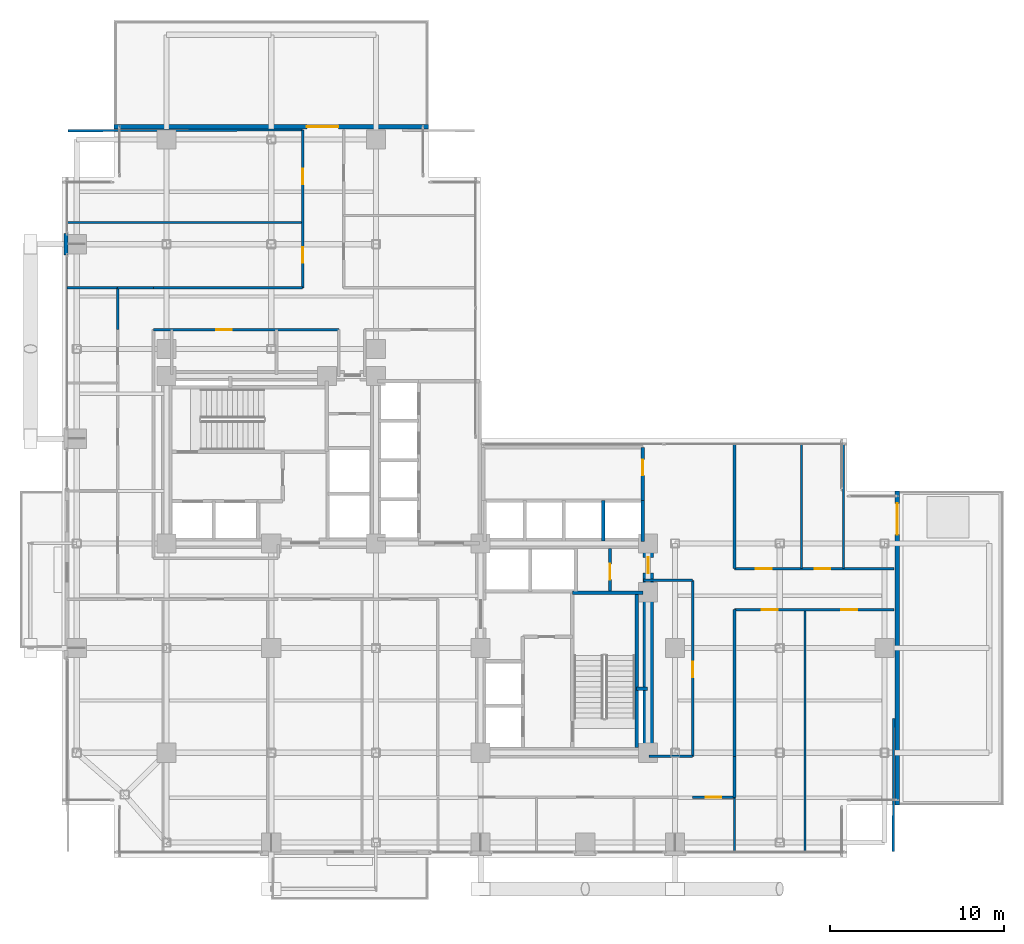
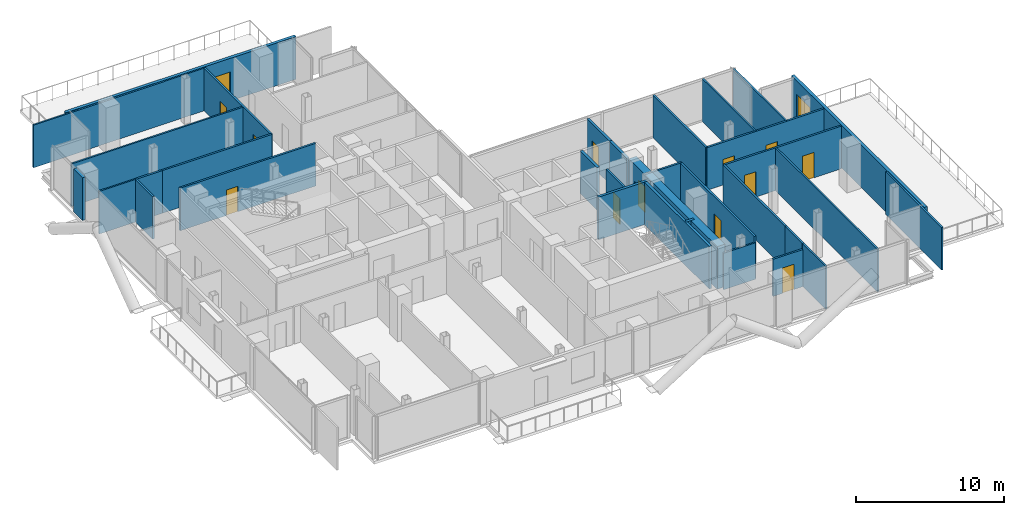
# One storey, part 22 of 26: 33 walls, 14 doors, 14 openings.
"""IFC4 building model written with IfcOpenShell, lengths in metres."""

from ifc_helpers import new_model, si_unit, direction, frame, frame_2d, origin, place, context, subcontext, project, spatial, rectangle, extrude, material, layer, layer_set, type_object, element, fill, save


model = new_model("IFC4")

# Units and contexts
model_context = context("Model", 3, precision=1e-05, world=origin(), true_north=direction((0.0, 1.0)))
body_context = subcontext(model_context, "Body", "Model", "MODEL_VIEW")
ifc_project = project(units=[si_unit("LENGTHUNIT", "METRE"), si_unit("AREAUNIT", "SQUARE_METRE"), si_unit("VOLUMEUNIT", "CUBIC_METRE"), si_unit("PLANEANGLEUNIT", "RADIAN"), si_unit("MASSUNIT", "GRAM", prefix="KILO"), si_unit("THERMODYNAMICTEMPERATUREUNIT", "KELVIN"), si_unit("POWERUNIT", "WATT")], contexts=[model_context])

# Site, building, storey
site_placement = place(None, origin())
site = spatial("IfcSite", under=ifc_project, at=site_placement, CompositionType="ELEMENT")
building_placement = place(site_placement, origin())
building = spatial("IfcBuilding", under=site, at=building_placement, Name="Svarakhadi Broadcast Tower", CompositionType="ELEMENT")
storey_placement = place(building_placement, frame((0.0, 0.0, 99.60009765625)))
storey = spatial("IfcBuildingStorey", under=building, at=storey_placement, Name="L23", CompositionType="ELEMENT", Elevation=99.60009765625)

# Wall, opening, door
ifc_material_1 = material(Name="Concrete C40/50 (IS 456 M50)", Category="concrete")
ifc_layer_1 = layer(ifc_material_1, 0.239990234375)
ifc_layer_set_1 = layer_set([ifc_layer_1], Name="Concrete C40/50 (IS 456 M50)")
wall_type_1 = type_object("IfcWallType", Name="Wall_Ext_240", PredefinedType="SOLIDWALL", material=ifc_layer_set_1)
wall_1_placement = place(storey_placement, frame((47.8798828125, 21.0, 0.0), z_axis=(0.0, 0.0, 1.0), x_axis=(0.0, -1.0, 0.0)))
wall_1 = element("IfcWall", 1, at=wall_1_placement, inside=storey, type_object=wall_type_1, Name="L23 East Setback Terrace Access Wall", PredefinedType="SOLIDWALL", context=body_context, shape_type="SweptSolid", body=[
    extrude(rectangle(XDim=18.0, YDim=0.239990234375, at=frame_2d((9.0, 0.0))), origin(), (0.0, 0.0, 1.0), 3.52490234375),
])
opening_1_placement = place(wall_1_placement, frame((0.699951171875, 0.0, 0.0)))
opening_1 = element("IfcOpeningElement", 2, at=opening_1_placement, cuts=wall_1, Name="Opening ED-02", PredefinedType="OPENING", context=body_context, shape_type="SweptSolid", body=[
    extrude(rectangle(XDim=1.800048828125, YDim=2.39990234375, at=frame_2d((0.89990234375, 1.199951171875))), frame((0.0, 0.1298828125, 0.0), z_axis=(0.0, -1.0, 0.0), x_axis=(1.0, 0.0, 0.0)), (0.0, 0.0, 1.0), 0.260009765625),
])
ifc_material_2 = material(Name="Anodised Bronze Aluminium AA 6063-T6", Category="aluminium")
door_type_1 = type_object("IfcDoorType", Name="Door_Ext_ED02", OperationType="DOUBLE_DOOR_SINGLE_SWING", PredefinedType="DOOR", material=ifc_material_2)
door_1_placement = place(opening_1_placement, origin())
door_1 = element("IfcDoor", 3, at=door_1_placement, inside=storey, type_object=door_type_1, Name="L23 East Setback Terrace Door", OperationType="DOUBLE_DOOR_SINGLE_SWING", OverallHeight=2.39990234375, OverallWidth=1.800048828125, PredefinedType="DOOR", context=body_context, shape_type="SweptSolid", body=[
    extrude(rectangle(XDim=1.800048828125, YDim=2.39990234375, at=frame_2d((0.89990234375, 1.199951171875))), frame((0.0, 0.02490234375, 0.0), z_axis=(0.0, -1.0, 0.0), x_axis=(1.0, 0.0, 0.0)), (0.0, 0.0, 1.0), 0.050048828125),
])
fill(opening_1, door_1)

wall_2_placement = place(storey_placement, frame((3.0, 41.8798828125, 0.0), z_axis=(0.0, 0.0, 1.0), x_axis=(1.0, 0.0, 0.0)))
wall_2 = element("IfcWall", 4, at=wall_2_placement, inside=storey, type_object=wall_type_1, Name="L23 North Setback Terrace Access Wall", PredefinedType="SOLIDWALL", context=body_context, shape_type="SweptSolid", body=[
    extrude(rectangle(XDim=18.0, YDim=0.239990234375, at=frame_2d((9.0, 0.0))), origin(), (0.0, 0.0, 1.0), 3.52490234375),
])
opening_2_placement = place(wall_2_placement, frame((11.050048828125, 0.0, 0.0)))
opening_2 = element("IfcOpeningElement", 5, at=opening_2_placement, cuts=wall_2, Name="Opening ED-02", PredefinedType="OPENING", context=body_context, shape_type="SweptSolid", body=[
    extrude(rectangle(XDim=1.800048828125, YDim=2.39990234375, at=frame_2d((0.89990234375, 1.199951171875))), frame((0.0, 0.1298828125, 0.0), z_axis=(0.0, -1.0, 0.0), x_axis=(1.0, 0.0, 0.0)), (0.0, 0.0, 1.0), 0.260009765625),
])
door_2_placement = place(opening_2_placement, origin())
door_2 = element("IfcDoor", 6, at=door_2_placement, inside=storey, type_object=door_type_1, Name="L23 North Setback Terrace Door", OperationType="DOUBLE_DOOR_SINGLE_SWING", OverallHeight=2.39990234375, OverallWidth=1.800048828125, PredefinedType="DOOR", context=body_context, shape_type="SweptSolid", body=[
    extrude(rectangle(XDim=1.800048828125, YDim=2.39990234375, at=frame_2d((0.89990234375, 1.199951171875))), frame((0.0, 0.02490234375, 0.0), z_axis=(0.0, -1.0, 0.0), x_axis=(1.0, 0.0, 0.0)), (0.0, 0.0, 1.0), 0.050048828125),
])
fill(opening_2, door_2)

# Walls
wall_3_placement = place(storey_placement, frame((0.239990234375, 34.534912109375, 0.0), z_axis=(0.0, 0.0, 1.0), x_axis=(0.0, 1.0, 0.0)))
element("IfcWall", 7, at=wall_3_placement, inside=storey, type_object=wall_type_1, Name="L23 Perimeter Bronze Spandrel Closure Wall 03", PredefinedType="SOLIDWALL", context=body_context, shape_type="SweptSolid", body=[
    extrude(rectangle(XDim=1.22998046875, YDim=0.239990234375, at=frame_2d((0.614990234375, 0.0))), origin(), (0.0, 0.0, 1.0), 3.52490234375),
])
ifc_layer_2 = layer(ifc_material_1, 0.199951171875)
ifc_layer_set_2 = layer_set([ifc_layer_2], Name="Concrete C40/50 (IS 456 M50)")
wall_type_2 = type_object("IfcWallType", Name="Wall_Fire_200", PredefinedType="SOLIDWALL", material=ifc_layer_set_2)
wall_4_placement = place(storey_placement, frame((32.93994140625, 9.659912109375, 0.0), z_axis=(0.0, 0.0, 1.0), x_axis=(1.0, 0.0, 0.0)))
element("IfcWall", 8, at=wall_4_placement, inside=storey, type_object=wall_type_2, Name="L23 HV Busduct Riser Shaft North Wall", PredefinedType="SOLIDWALL", context=body_context, shape_type="SweptSolid", body=[
    extrude(rectangle(XDim=0.64013671875, YDim=0.199951171875, at=frame_2d((0.320068359375, 0.0))), origin(), (0.0, 0.0, 1.0), 3.52490234375),
])
ifc_material_3 = material(Name="Fire-Rated Moisture-Resistant Gypsum Board Partition", Category="gypsum")
ifc_layer_3 = layer(ifc_material_3, 0.125)
ifc_layer_set_3 = layer_set([ifc_layer_3], Name="Fire-Rated Moisture-Resistant Gypsum Board Partition")
wall_type_3 = type_object("IfcWallType", Name="Wall_Part_125", PredefinedType="PARTITIONING", material=ifc_layer_set_3)
wall_5_placement = place(storey_placement, frame((42.60009765625, 0.300048828125, 0.0), z_axis=(0.0, 0.0, 1.0), x_axis=(0.0, 1.0, 0.0)))
element("IfcWall", 9, at=wall_5_placement, inside=storey, type_object=wall_type_3, Name="L23 Setback Sky-Garden Pavilion Lounge Wall", PredefinedType="PARTITIONING", context=body_context, shape_type="SweptSolid", body=[
    extrude(rectangle(XDim=13.89990234375, YDim=0.125, at=frame_2d((6.949951171875, 0.0))), origin(), (0.0, 0.0, 1.0), 3.52490234375),
])
wall_6_placement = place(storey_placement, frame((47.64990234375, 0.35009765625, 0.0), z_axis=(0.0, 0.0, 1.0), x_axis=(0.003621655041, 0.999993441786, 0.0)))
element("IfcWall", 10, at=wall_6_placement, inside=storey, type_object=wall_type_3, Name="L23 Regional Playout Office Wall", PredefinedType="PARTITIONING", context=body_context, shape_type="SweptSolid", body=[
    extrude(rectangle(XDim=7.617431640625, YDim=0.125, at=frame_2d((3.80859375, 0.0))), origin(), (0.0, 0.0, 1.0), 3.52490234375),
])
for number, where, z_axis, x_axis, name in (
    (11, (42.39990234375, 16.550048828125, 0.0), (0.0, 0.0, 1.0), (0.0, 1.0, 0.0), "L23 Broadcast Acoustic Booth Wall"),
    (12, (44.800048828125, 16.550048828125, 0.0), (0.0, 0.0, 1.0), (0.0, 1.0, 0.0), "L23 Broadcast Equipment Operations Room Wall"),
):
    element("IfcWall", number, at=place(storey_placement, frame(where, z_axis=z_axis, x_axis=x_axis)), inside=storey, type_object=wall_type_3, Name=name, PredefinedType="PARTITIONING", context=body_context, shape_type="SweptSolid", body=[
        extrude(rectangle(XDim=7.14990234375, YDim=0.125, at=frame_2d((3.574951171875, 0.0))), origin(), (0.0, 0.0, 1.0), 3.52490234375),
    ])
wall_7_placement = place(storey_placement, frame((0.300048828125, 36.39990234375, 0.0), z_axis=(0.0, 0.0, 1.0), x_axis=(1.0, 0.0, 0.0)))
element("IfcWall", 13, at=wall_7_placement, inside=storey, type_object=wall_type_3, Name="L23 FM Radio Broadcast Booth Wall", PredefinedType="PARTITIONING", context=body_context, shape_type="SweptSolid", body=[
    extrude(rectangle(XDim=13.5, YDim=0.125, at=frame_2d((6.75, 0.0))), origin(), (0.0, 0.0, 1.0), 3.52490234375),
])
wall_8_placement = place(storey_placement, frame((0.35009765625, 41.64990234375, 0.0), z_axis=(0.0, 0.0, 1.0), x_axis=(0.99999307672, 0.003721090209, 0.0)))
element("IfcWall", 14, at=wall_8_placement, inside=storey, type_object=wall_type_3, Name="L23 Music Programming Room Wall", PredefinedType="PARTITIONING", context=body_context, shape_type="SweptSolid", body=[
    extrude(rectangle(XDim=13.449951171875, YDim=0.125, at=frame_2d((6.72509765625, 0.0))), origin(), (0.0, 0.0, 1.0), 3.52490234375),
])
wall_9_placement = place(storey_placement, frame((0.300048828125, 32.64990234375, 0.0), z_axis=(0.0, 0.0, 1.0), x_axis=(1.0, 0.0, 0.0)))
element("IfcWall", 15, at=wall_9_placement, inside=storey, type_object=wall_type_3, Name="L23 Producer Quiet Lounge Wall", PredefinedType="PARTITIONING", context=body_context, shape_type="SweptSolid", body=[
    extrude(rectangle(XDim=2.89990234375, YDim=0.125, at=frame_2d((1.449951171875, 0.0))), origin(), (0.0, 0.0, 1.0), 3.52490234375),
])
wall_10_placement = place(storey_placement, frame((38.550048828125, 0.300048828125, 0.0), z_axis=(0.0, 0.0, 1.0), x_axis=(0.0, 1.0, 0.0)))
element("IfcWall", 16, at=wall_10_placement, inside=storey, type_object=wall_type_3, Name="L23 Broadcast Staff Refreshment Pantry Wall", PredefinedType="PARTITIONING", context=body_context, shape_type="SweptSolid", body=[
    extrude(rectangle(XDim=3.14990234375, YDim=0.125, at=frame_2d((1.574951171875, 0.0))), origin(), (0.0, 0.0, 1.0), 3.52490234375),
])
wall_11_placement = place(storey_placement, frame((33.64990234375, 5.800048828125, 0.0), z_axis=(0.0, 0.0, 1.0), x_axis=(1.0, 0.0, 0.0)))
element("IfcWall", 17, at=wall_11_placement, inside=storey, type_object=wall_type_3, Name="L23 Live Feed Monitoring Studio Wall", PredefinedType="PARTITIONING", context=body_context, shape_type="SweptSolid", body=[
    extrude(rectangle(XDim=2.5, YDim=0.125, at=frame_2d((1.25, 0.0))), origin(), (0.0, 0.0, 1.0), 3.016845703125),
])

# Wall, opening, door
ifc_material_4 = material(Name="Autoclaved Aerated Concrete Blockwork 150 mm", Category="masonry")
ifc_layer_4 = layer(ifc_material_4, 0.14990234375)
ifc_layer_set_4 = layer_set([ifc_layer_4], Name="Autoclaved Aerated Concrete Blockwork 150 mm")
wall_type_4 = type_object("IfcWallType", Name="Wall_Part_150", PredefinedType="PARTITIONING", material=ifc_layer_set_4)
wall_12_placement = place(storey_placement, frame((31.419921875, 15.280029296875, 0.0), z_axis=(0.0, 0.0, 1.0), x_axis=(0.0, 1.0, 0.0)))
wall_12 = element("IfcWall", 18, at=wall_12_placement, inside=storey, type_object=wall_type_4, Name="L23 East Core Dual Store Wall", PredefinedType="PARTITIONING", context=body_context, shape_type="SweptSolid", body=[
    extrude(rectangle(XDim=2.419921875, YDim=0.14990234375, at=frame_2d((1.2099609375, 0.0))), origin(), (0.0, 0.0, 1.0), 3.52490234375),
])
opening_3_placement = place(wall_12_placement, frame((0.64990234375, 0.0, 0.0)))
opening_3 = element("IfcOpeningElement", 19, at=opening_3_placement, cuts=wall_12, Name="Opening D-04", PredefinedType="OPENING", context=body_context, shape_type="SweptSolid", body=[
    extrude(rectangle(XDim=0.89990234375, YDim=2.14990234375, at=frame_2d((0.449951171875, 1.074951171875))), frame((0.0, 0.0849609375, 0.0), z_axis=(0.0, -1.0, 0.0), x_axis=(1.0, 0.0, 0.0)), (0.0, 0.0, 1.0), 0.169921875),
])
ifc_material_5 = material(Name="Galvanised Powder-Coated Fire-Rated Steel Leaf", Category="steel")
door_type_2 = type_object("IfcDoorType", Name="Door_Fire_D04", OperationType="SINGLE_SWING_RIGHT", PredefinedType="DOOR", material=ifc_material_5)
door_3_placement = place(opening_3_placement, origin())
door_3 = element("IfcDoor", 20, at=door_3_placement, inside=storey, type_object=door_type_2, Name="L23 East Core Store B Door", OperationType="SINGLE_SWING_RIGHT", OverallHeight=2.14990234375, OverallWidth=0.89990234375, PredefinedType="DOOR", context=body_context, shape_type="SweptSolid", body=[
    extrude(rectangle(XDim=0.89990234375, YDim=2.14990234375, at=frame_2d((0.449951171875, 1.074951171875))), frame((0.0, 0.02490234375, 0.0), z_axis=(0.0, -1.0, 0.0), x_axis=(1.0, 0.0, 0.0)), (0.0, 0.0, 1.0), 0.050048828125),
])
fill(opening_3, door_3)

wall_13_placement = place(storey_placement, frame((36.14990234375, 5.800048828125, 0.0), z_axis=(0.0, 0.0, 1.0), x_axis=(0.0, 1.0, 0.0)))
wall_13 = element("IfcWall", 21, at=wall_13_placement, inside=storey, type_object=wall_type_4, Name="L23 Broadcast Corridor Wall", PredefinedType="PARTITIONING", context=body_context, shape_type="SweptSolid", body=[
    extrude(rectangle(XDim=10.079833984375, YDim=0.14990234375, at=frame_2d((5.0400390625, 0.0))), origin(), (0.0, 0.0, 1.0), 3.52490234375),
])
opening_4_placement = place(wall_13_placement, frame((4.530029296875, 0.0, 0.0)))
opening_4 = element("IfcOpeningElement", 22, at=opening_4_placement, cuts=wall_13, Name="Opening D-14", PredefinedType="OPENING", context=body_context, shape_type="SweptSolid", body=[
    extrude(rectangle(XDim=0.89990234375, YDim=2.10009765625, at=frame_2d((0.449951171875, 1.050048828125))), frame((0.0, 0.0849609375, 0.0), z_axis=(0.0, -1.0, 0.0), x_axis=(1.0, 0.0, 0.0)), (0.0, 0.0, 1.0), 0.169921875),
])
ifc_material_6 = material(Name="Solid-Core Teak Veneer Acoustic Timber Leaf", Category="wood")
door_type_3 = type_object("IfcDoorType", Name="Door_Int_D14", OperationType="SINGLE_SWING_LEFT", PredefinedType="DOOR", material=ifc_material_6)
door_4_placement = place(opening_4_placement, origin())
door_4 = element("IfcDoor", 23, at=door_4_placement, inside=storey, type_object=door_type_3, Name="L23 Live Feed Monitoring Studio Door", OperationType="SINGLE_SWING_LEFT", OverallHeight=2.10009765625, OverallWidth=0.89990234375, PredefinedType="DOOR", context=body_context, shape_type="SweptSolid", body=[
    extrude(rectangle(XDim=0.89990234375, YDim=2.10009765625, at=frame_2d((0.449951171875, 1.050048828125))), frame((0.0, 0.02490234375, 0.0), z_axis=(0.0, -1.0, 0.0), x_axis=(1.0, 0.0, 0.0)), (0.0, 0.0, 1.0), 0.050048828125),
])
fill(opening_4, door_4)

# Walls
wall_14_placement = place(storey_placement, frame((36.14990234375, 15.8798828125, 0.0), z_axis=(0.0, 0.0, 1.0), x_axis=(-1.0, 0.0, 0.0)))
element("IfcWall", 24, at=wall_14_placement, inside=storey, type_object=wall_type_4, Name="L23 Broadcast Corridor Wall", PredefinedType="PARTITIONING", context=body_context, shape_type="SweptSolid", body=[
    extrude(rectangle(XDim=2.809814453125, YDim=0.14990234375, at=frame_2d((1.40478515625, 0.0))), origin(), (0.0, 0.0, 1.0), 3.52490234375),
])
wall_15_placement = place(storey_placement, frame((38.550048828125, 23.699951171875, 0.0), z_axis=(0.0, 0.0, 1.0), x_axis=(0.0, -1.0, 0.0)))
element("IfcWall", 25, at=wall_15_placement, inside=storey, type_object=wall_type_4, Name="L23 Broadcast Corridor Wall", PredefinedType="PARTITIONING", context=body_context, shape_type="SweptSolid", body=[
    extrude(rectangle(XDim=7.14990234375, YDim=0.14990234375, at=frame_2d((3.574951171875, 0.0))), origin(), (0.0, 0.0, 1.0), 3.52490234375),
])

# Wall, openings, doors
wall_16_placement = place(storey_placement, frame((38.550048828125, 16.550048828125, 0.0), z_axis=(0.0, 0.0, 1.0), x_axis=(1.0, 0.0, 0.0)))
wall_16 = element("IfcWall", 26, at=wall_16_placement, inside=storey, type_object=wall_type_4, Name="L23 Broadcast Corridor Wall", PredefinedType="PARTITIONING", context=body_context, shape_type="SweptSolid", body=[
    extrude(rectangle(XDim=9.14990234375, YDim=0.14990234375, at=frame_2d((4.574951171875, 0.0))), origin(), (0.0, 0.0, 1.0), 3.52490234375),
])
opening_5_placement = place(wall_16_placement, frame((1.22998046875, 0.0, 0.0)))
opening_5 = element("IfcOpeningElement", 27, at=opening_5_placement, cuts=wall_16, Name="Opening D-15", PredefinedType="OPENING", context=body_context, shape_type="SweptSolid", body=[
    extrude(rectangle(XDim=0.89990234375, YDim=2.10009765625, at=frame_2d((0.449951171875, 1.050048828125))), frame((0.0, 0.0849609375, 0.0), z_axis=(0.0, -1.0, 0.0), x_axis=(1.0, 0.0, 0.0)), (0.0, 0.0, 1.0), 0.169921875),
])
opening_6_placement = place(wall_16_placement, frame((4.60009765625, 0.0, 0.0)))
opening_6 = element("IfcOpeningElement", 28, at=opening_6_placement, cuts=wall_16, Name="Opening D-14", PredefinedType="OPENING", context=body_context, shape_type="SweptSolid", body=[
    extrude(rectangle(XDim=0.89990234375, YDim=2.10009765625, at=frame_2d((0.449951171875, 1.050048828125))), frame((0.0, 0.0849609375, 0.0), z_axis=(0.0, -1.0, 0.0), x_axis=(1.0, 0.0, 0.0)), (0.0, 0.0, 1.0), 0.169921875),
])
door_5_placement = place(opening_6_placement, origin())
door_5 = element("IfcDoor", 29, at=door_5_placement, inside=storey, type_object=door_type_3, Name="L23 Broadcast Equipment Operations Room Door", OperationType="SINGLE_SWING_LEFT", OverallHeight=2.10009765625, OverallWidth=0.89990234375, PredefinedType="DOOR", context=body_context, shape_type="SweptSolid", body=[
    extrude(rectangle(XDim=0.89990234375, YDim=2.10009765625, at=frame_2d((0.449951171875, 1.050048828125))), frame((0.0, 0.02490234375, 0.0), z_axis=(0.0, -1.0, 0.0), x_axis=(1.0, 0.0, 0.0)), (0.0, 0.0, 1.0), 0.050048828125),
])
fill(opening_6, door_5)
door_type_4 = type_object("IfcDoorType", Name="Door_Int_D15", OperationType="SINGLE_SWING_RIGHT", PredefinedType="DOOR", material=ifc_material_6)
door_6_placement = place(opening_5_placement, origin())
door_6 = element("IfcDoor", 30, at=door_6_placement, inside=storey, type_object=door_type_4, Name="L23 Broadcast Acoustic Booth Door", OperationType="SINGLE_SWING_RIGHT", OverallHeight=2.10009765625, OverallWidth=0.89990234375, PredefinedType="DOOR", context=body_context, shape_type="SweptSolid", body=[
    extrude(rectangle(XDim=0.89990234375, YDim=2.10009765625, at=frame_2d((0.449951171875, 1.050048828125))), frame((0.0, 0.02490234375, 0.0), z_axis=(0.0, -1.0, 0.0), x_axis=(1.0, 0.0, 0.0)), (0.0, 0.0, 1.0), 0.050048828125),
])
fill(opening_5, door_6)

wall_17_placement = place(storey_placement, frame((47.699951171875, 14.199951171875, 0.0), z_axis=(0.0, 0.0, 1.0), x_axis=(-1.0, 0.0, 0.0)))
wall_17 = element("IfcWall", 31, at=wall_17_placement, inside=storey, type_object=wall_type_4, Name="L23 Broadcast Corridor Wall", PredefinedType="PARTITIONING", context=body_context, shape_type="SweptSolid", body=[
    extrude(rectangle(XDim=9.14990234375, YDim=0.14990234375, at=frame_2d((4.574951171875, 0.0))), origin(), (0.0, 0.0, 1.0), 3.52490234375),
])
opening_7_placement = place(wall_17_placement, frame((6.675048828125, 0.0, 0.0)))
opening_7 = element("IfcOpeningElement", 32, at=opening_7_placement, cuts=wall_17, Name="Opening D-15", PredefinedType="OPENING", context=body_context, shape_type="SweptSolid", body=[
    extrude(rectangle(XDim=0.89990234375, YDim=2.10009765625, at=frame_2d((0.449951171875, 1.050048828125))), frame((0.0, 0.0849609375, 0.0), z_axis=(0.0, -1.0, 0.0), x_axis=(1.0, 0.0, 0.0)), (0.0, 0.0, 1.0), 0.169921875),
])
opening_8_placement = place(wall_17_placement, frame((2.125, 0.0, 0.0)))
opening_8 = element("IfcOpeningElement", 33, at=opening_8_placement, cuts=wall_17, Name="Opening D-14", PredefinedType="OPENING", context=body_context, shape_type="SweptSolid", body=[
    extrude(rectangle(XDim=0.89990234375, YDim=2.10009765625, at=frame_2d((0.449951171875, 1.050048828125))), frame((0.0, 0.0849609375, 0.0), z_axis=(0.0, -1.0, 0.0), x_axis=(1.0, 0.0, 0.0)), (0.0, 0.0, 1.0), 0.169921875),
])
door_7_placement = place(opening_8_placement, origin())
door_7 = element("IfcDoor", 34, at=door_7_placement, inside=storey, type_object=door_type_3, Name="L23 Regional Playout Office Door", OperationType="SINGLE_SWING_LEFT", OverallHeight=2.10009765625, OverallWidth=0.89990234375, PredefinedType="DOOR", context=body_context, shape_type="SweptSolid", body=[
    extrude(rectangle(XDim=0.89990234375, YDim=2.10009765625, at=frame_2d((0.449951171875, 1.050048828125))), frame((0.0, 0.02490234375, 0.0), z_axis=(0.0, -1.0, 0.0), x_axis=(1.0, 0.0, 0.0)), (0.0, 0.0, 1.0), 0.050048828125),
])
fill(opening_8, door_7)
door_8_placement = place(opening_7_placement, origin())
door_8 = element("IfcDoor", 35, at=door_8_placement, inside=storey, type_object=door_type_4, Name="L23 Setback Sky-Garden Pavilion Lounge Door", OperationType="SINGLE_SWING_RIGHT", OverallHeight=2.10009765625, OverallWidth=0.89990234375, PredefinedType="DOOR", context=body_context, shape_type="SweptSolid", body=[
    extrude(rectangle(XDim=0.89990234375, YDim=2.10009765625, at=frame_2d((0.449951171875, 1.050048828125))), frame((0.0, 0.02490234375, 0.0), z_axis=(0.0, -1.0, 0.0), x_axis=(1.0, 0.0, 0.0)), (0.0, 0.0, 1.0), 0.050048828125),
])
fill(opening_7, door_8)

# Walls
wall_18_placement = place(storey_placement, frame((38.550048828125, 14.199951171875, 0.0), z_axis=(0.0, 0.0, 1.0), x_axis=(0.0, -1.0, 0.0)))
element("IfcWall", 36, at=wall_18_placement, inside=storey, type_object=wall_type_4, Name="L23 Broadcast Corridor Wall", PredefinedType="PARTITIONING", context=body_context, shape_type="SweptSolid", body=[
    extrude(rectangle(XDim=8.39990234375, YDim=0.14990234375, at=frame_2d((4.199951171875, 0.0))), origin(), (0.0, 0.0, 1.0), 3.52490234375),
])
wall_19_placement = place(storey_placement, frame((38.550048828125, 5.800048828125, 0.0), z_axis=(0.0, 0.0, 1.0), x_axis=(0.0, -1.0, 0.0)))
element("IfcWall", 37, at=wall_19_placement, inside=storey, type_object=wall_type_4, Name="L23 Broadcast Corridor Wall", PredefinedType="PARTITIONING", context=body_context, shape_type="SweptSolid", body=[
    extrude(rectangle(XDim=2.35009765625, YDim=0.14990234375, at=frame_2d((1.175048828125, 0.0))), origin(), (0.0, 0.0, 1.0), 3.52490234375),
])

# Wall, opening, door
wall_20_placement = place(storey_placement, frame((38.550048828125, 3.449951171875, 0.0), z_axis=(0.0, 0.0, 1.0), x_axis=(-1.0, 0.0, 0.0)))
wall_20 = element("IfcWall", 38, at=wall_20_placement, inside=storey, type_object=wall_type_4, Name="L23 Broadcast Corridor Wall", PredefinedType="PARTITIONING", context=body_context, shape_type="SweptSolid", body=[
    extrude(rectangle(XDim=2.400146484375, YDim=0.14990234375, at=frame_2d((1.2001953125, 0.0))), origin(), (0.0, 0.0, 1.0), 3.06689453125),
])
opening_9_placement = place(wall_20_placement, frame((0.75, 0.0, 0.0)))
opening_9 = element("IfcOpeningElement", 39, at=opening_9_placement, cuts=wall_20, Name="Opening D-15", PredefinedType="OPENING", context=body_context, shape_type="SweptSolid", body=[
    extrude(rectangle(XDim=0.89990234375, YDim=2.10009765625, at=frame_2d((0.449951171875, 1.050048828125))), frame((0.0, 0.0849609375, 0.0), z_axis=(0.0, -1.0, 0.0), x_axis=(1.0, 0.0, 0.0)), (0.0, 0.0, 1.0), 0.169921875),
])
door_9_placement = place(opening_9_placement, origin())
door_9 = element("IfcDoor", 40, at=door_9_placement, inside=storey, type_object=door_type_4, Name="L23 Broadcast Staff Refreshment Pantry Door", OperationType="SINGLE_SWING_RIGHT", OverallHeight=2.10009765625, OverallWidth=0.89990234375, PredefinedType="DOOR", context=body_context, shape_type="SweptSolid", body=[
    extrude(rectangle(XDim=0.89990234375, YDim=2.10009765625, at=frame_2d((0.449951171875, 1.050048828125))), frame((0.0, 0.02490234375, 0.0), z_axis=(0.0, -1.0, 0.0), x_axis=(1.0, 0.0, 0.0)), (0.0, 0.0, 1.0), 0.050048828125),
])
fill(opening_9, door_9)

# Walls
wall_21_placement = place(storey_placement, frame((3.199951171875, 30.25, 0.0), z_axis=(0.0, 0.0, 1.0), x_axis=(0.0, 1.0, 0.0)))
element("IfcWall", 41, at=wall_21_placement, inside=storey, type_object=wall_type_4, Name="L23 Broadcast Corridor Wall", PredefinedType="PARTITIONING", context=body_context, shape_type="SweptSolid", body=[
    extrude(rectangle(XDim=2.39990234375, YDim=0.14990234375, at=frame_2d((1.199951171875, 0.0))), origin(), (0.0, 0.0, 1.0), 3.52490234375),
])
wall_22_placement = place(storey_placement, frame((3.199951171875, 32.64990234375, 0.0), z_axis=(0.0, 0.0, 1.0), x_axis=(1.0, 0.0, 0.0)))
element("IfcWall", 42, at=wall_22_placement, inside=storey, type_object=wall_type_4, Name="L23 Broadcast Corridor Wall", PredefinedType="PARTITIONING", context=body_context, shape_type="SweptSolid", body=[
    extrude(rectangle(XDim=2.050048828125, YDim=0.14990234375, at=frame_2d((1.02490234375, 0.0))), origin(), (0.0, 0.0, 1.0), 3.52490234375),
])
wall_23_placement = place(storey_placement, frame((5.25, 32.64990234375, 0.0), z_axis=(0.0, 0.0, 1.0), x_axis=(1.0, 0.0, 0.0)))
element("IfcWall", 43, at=wall_23_placement, inside=storey, type_object=wall_type_4, Name="L23 Broadcast Corridor Wall", PredefinedType="PARTITIONING", context=body_context, shape_type="SweptSolid", body=[
    extrude(rectangle(XDim=8.550048828125, YDim=0.14990234375, at=frame_2d((4.27490234375, 0.0))), origin(), (0.0, 0.0, 1.0), 3.52490234375),
])

# Wall, openings, doors
wall_24_placement = place(storey_placement, frame((13.800048828125, 32.64990234375, 0.0), z_axis=(0.0, 0.0, 1.0), x_axis=(0.0, 1.0, 0.0)))
wall_24 = element("IfcWall", 44, at=wall_24_placement, inside=storey, type_object=wall_type_4, Name="L23 Broadcast Corridor Wall", PredefinedType="PARTITIONING", context=body_context, shape_type="SweptSolid", body=[
    extrude(rectangle(XDim=9.050048828125, YDim=0.14990234375, at=frame_2d((4.52490234375, 0.0))), origin(), (0.0, 0.0, 1.0), 3.52490234375),
])
opening_10_placement = place(wall_24_placement, frame((1.425048828125, 0.0, 0.0)))
opening_10 = element("IfcOpeningElement", 45, at=opening_10_placement, cuts=wall_24, Name="Opening D-15", PredefinedType="OPENING", context=body_context, shape_type="SweptSolid", body=[
    extrude(rectangle(XDim=0.89990234375, YDim=2.10009765625, at=frame_2d((0.449951171875, 1.050048828125))), frame((0.0, 0.0849609375, 0.0), z_axis=(0.0, -1.0, 0.0), x_axis=(1.0, 0.0, 0.0)), (0.0, 0.0, 1.0), 0.169921875),
])
opening_11_placement = place(wall_24_placement, frame((5.925048828125, 0.0, 0.0)))
opening_11 = element("IfcOpeningElement", 46, at=opening_11_placement, cuts=wall_24, Name="Opening D-14", PredefinedType="OPENING", context=body_context, shape_type="SweptSolid", body=[
    extrude(rectangle(XDim=0.89990234375, YDim=2.10009765625, at=frame_2d((0.449951171875, 1.050048828125))), frame((0.0, 0.0849609375, 0.0), z_axis=(0.0, -1.0, 0.0), x_axis=(1.0, 0.0, 0.0)), (0.0, 0.0, 1.0), 0.169921875),
])
door_10_placement = place(opening_11_placement, origin())
door_10 = element("IfcDoor", 47, at=door_10_placement, inside=storey, type_object=door_type_3, Name="L23 Music Programming Room Door", OperationType="SINGLE_SWING_LEFT", OverallHeight=2.10009765625, OverallWidth=0.89990234375, PredefinedType="DOOR", context=body_context, shape_type="SweptSolid", body=[
    extrude(rectangle(XDim=0.89990234375, YDim=2.10009765625, at=frame_2d((0.449951171875, 1.050048828125))), frame((0.0, 0.02490234375, 0.0), z_axis=(0.0, -1.0, 0.0), x_axis=(1.0, 0.0, 0.0)), (0.0, 0.0, 1.0), 0.050048828125),
])
fill(opening_11, door_10)
door_11_placement = place(opening_10_placement, origin())
door_11 = element("IfcDoor", 48, at=door_11_placement, inside=storey, type_object=door_type_4, Name="L23 FM Radio Broadcast Booth Door", OperationType="SINGLE_SWING_RIGHT", OverallHeight=2.10009765625, OverallWidth=0.89990234375, PredefinedType="DOOR", context=body_context, shape_type="SweptSolid", body=[
    extrude(rectangle(XDim=0.89990234375, YDim=2.10009765625, at=frame_2d((0.449951171875, 1.050048828125))), frame((0.0, 0.02490234375, 0.0), z_axis=(0.0, -1.0, 0.0), x_axis=(1.0, 0.0, 0.0)), (0.0, 0.0, 1.0), 0.050048828125),
])
fill(opening_10, door_11)

# Wall, opening, door
wall_25_placement = place(storey_placement, frame((15.8798828125, 30.25, 0.0), z_axis=(0.0, 0.0, 1.0), x_axis=(-1.0, 0.0, 0.0)))
wall_25 = element("IfcWall", 49, at=wall_25_placement, inside=storey, type_object=wall_type_4, Name="L23 Broadcast Corridor Wall", PredefinedType="PARTITIONING", context=body_context, shape_type="SweptSolid", body=[
    extrude(rectangle(XDim=10.6298828125, YDim=0.14990234375, at=frame_2d((5.31494140625, 0.0))), origin(), (0.0, 0.0, 1.0), 3.52490234375),
])
opening_12_placement = place(wall_25_placement, frame((6.1298828125, 0.0, 0.0)))
opening_12 = element("IfcOpeningElement", 50, at=opening_12_placement, cuts=wall_25, Name="Opening D-12", PredefinedType="OPENING", context=body_context, shape_type="SweptSolid", body=[
    extrude(rectangle(XDim=0.89990234375, YDim=2.10009765625, at=frame_2d((0.449951171875, 1.050048828125))), frame((0.0, 0.0849609375, 0.0), z_axis=(0.0, -1.0, 0.0), x_axis=(1.0, 0.0, 0.0)), (0.0, 0.0, 1.0), 0.169921875),
])
door_type_5 = type_object("IfcDoorType", Name="Door_WC_D01", OperationType="SINGLE_SWING_LEFT", PredefinedType="DOOR", material=ifc_material_6)
door_12_placement = place(opening_12_placement, origin())
door_12 = element("IfcDoor", 51, at=door_12_placement, inside=storey, type_object=door_type_5, Name="L23 Accessible Toilet WC Door", OperationType="SINGLE_SWING_LEFT", OverallHeight=2.10009765625, OverallWidth=0.89990234375, PredefinedType="DOOR", context=body_context, shape_type="SweptSolid", body=[
    extrude(rectangle(XDim=0.89990234375, YDim=2.10009765625, at=frame_2d((0.449951171875, 1.050048828125))), frame((0.0, 0.02490234375, 0.0), z_axis=(0.0, -1.0, 0.0), x_axis=(1.0, 0.0, 0.0)), (0.0, 0.0, 1.0), 0.050048828125),
])
fill(opening_12, door_12)

# Walls
ifc_material_7 = material(Name="Concrete C50/60 (IS 456 M60)", Category="concrete")
ifc_layer_5 = layer(ifc_material_7, 0.199951171875)
ifc_layer_set_5 = layer_set([ifc_layer_5], Name="Concrete C50/60 (IS 456 M60)")
wall_type_5 = type_object("IfcWallType", Name="Wall_Shear_200", PredefinedType="SHEAR", material=ifc_layer_set_5)
wall_26_placement = place(storey_placement, frame((32.93994140625, 6.300048828125, 0.0), z_axis=(0.0, 0.0, 1.0), x_axis=(0.0, 1.0, 0.0)))
element("IfcWall", 52, at=wall_26_placement, inside=storey, type_object=wall_type_5, Name="L23 Stair ST-02 East RC Shaft Wall", PredefinedType="SHEAR", context=body_context, shape_type="SweptSolid", body=[
    extrude(rectangle(XDim=8.8798828125, YDim=0.199951171875, at=frame_2d((4.43994140625, 0.0))), origin(), (0.0, 0.0, 1.0), 3.52490234375),
])
wall_27_placement = place(storey_placement, frame((29.260009765625, 15.179931640625, 0.0), z_axis=(0.0, 0.0, 1.0), x_axis=(1.0, 0.0, 0.0)))
element("IfcWall", 53, at=wall_27_placement, inside=storey, type_object=wall_type_5, Name="L23 Stair ST-02 North RC Shaft Wall", PredefinedType="SHEAR", context=body_context, shape_type="SweptSolid", body=[
    extrude(rectangle(XDim=4.0400390625, YDim=0.199951171875, at=frame_2d((2.02001953125, 0.0))), origin(), (0.0, 0.0, 1.0), 3.52490234375),
])
wall_28_placement = place(storey_placement, frame((33.300048828125, 18.10009765625, 0.0), z_axis=(0.0, 0.0, 1.0), x_axis=(0.0, 1.0, 0.0)))
element("IfcWall", 54, at=wall_28_placement, inside=storey, type_object=wall_type_5, Name="L23 Bank B East Shaft Wall", PredefinedType="SHEAR", context=body_context, shape_type="SweptSolid", body=[
    extrude(rectangle(XDim=2.349853515625, YDim=0.199951171875, at=frame_2d((1.1748046875, 0.0))), origin(), (0.0, 0.0, 1.0), 3.52490234375),
])
wall_29_placement = place(storey_placement, frame((31.02001953125, 18.14990234375, 0.0), z_axis=(0.0, 0.0, 1.0), x_axis=(0.0, 1.0, 0.0)))
element("IfcWall", 55, at=wall_29_placement, inside=storey, type_object=wall_type_5, Name="L23 Bank B Divider", PredefinedType="SHEAR", context=body_context, shape_type="SweptSolid", body=[
    extrude(rectangle(XDim=2.300048828125, YDim=0.199951171875, at=frame_2d((1.14990234375, 0.0))), origin(), (0.0, 0.0, 1.0), 3.52490234375),
])

# Wall, opening, door
wall_30_placement = place(storey_placement, frame((33.300048828125, 20.449951171875, 0.0), z_axis=(0.0, 0.0, 1.0), x_axis=(0.0, 1.0, 0.0)))
wall_30 = element("IfcWall", 56, at=wall_30_placement, inside=storey, type_object=wall_type_5, Name="L23 Bank B Lift Hall East Wall", PredefinedType="SHEAR", context=body_context, shape_type="SweptSolid", body=[
    extrude(rectangle(XDim=3.050048828125, YDim=0.199951171875, at=frame_2d((1.52490234375, 0.0))), origin(), (0.0, 0.0, 1.0), 3.52490234375),
])
opening_13_placement = place(wall_30_placement, frame((1.449951171875, 0.0, 0.0)))
opening_13 = element("IfcOpeningElement", 57, at=opening_13_placement, cuts=wall_30, Name="Opening D-04", PredefinedType="OPENING", context=body_context, shape_type="SweptSolid", body=[
    extrude(rectangle(XDim=0.89990234375, YDim=2.14990234375, at=frame_2d((0.449951171875, 1.074951171875))), frame((0.0, 0.10986328125, 0.0), z_axis=(0.0, -1.0, 0.0), x_axis=(1.0, 0.0, 0.0)), (0.0, 0.0, 1.0), 0.219970703125),
])
door_13_placement = place(opening_13_placement, origin())
door_13 = element("IfcDoor", 58, at=door_13_placement, inside=storey, type_object=door_type_2, Name="L23 Mid-Rise Lift Hall East Corridor Door", OperationType="SINGLE_SWING_RIGHT", OverallHeight=2.14990234375, OverallWidth=0.89990234375, PredefinedType="DOOR", context=body_context, shape_type="SweptSolid", body=[
    extrude(rectangle(XDim=0.89990234375, YDim=2.14990234375, at=frame_2d((0.449951171875, 1.074951171875))), frame((0.0, 0.02490234375, 0.0), z_axis=(0.0, -1.0, 0.0), x_axis=(1.0, 0.0, 0.0)), (0.0, 0.0, 1.0), 0.050048828125),
])
fill(opening_13, door_13)

ifc_material_8 = material(Name="Concrete C60/75 (IS 456 M70)", Category="concrete")
ifc_layer_6 = layer(ifc_material_8, 0.60009765625)
ifc_layer_set_6 = layer_set([ifc_layer_6], Name="Concrete C60/75 (IS 456 M70)")
wall_type_6 = type_object("IfcWallType", Name="Wall_Shear_600", PredefinedType="SHEAR", material=ifc_layer_set_6)
wall_31_placement = place(storey_placement, frame((33.60009765625, 6.0, 0.0), z_axis=(0.0, 0.0, 1.0), x_axis=(0.0, 1.0, 0.0)))
wall_31 = element("IfcWall", 59, at=wall_31_placement, inside=storey, type_object=wall_type_6, Name="L23 East Core East Shear Wall", PredefinedType="SHEAR", context=body_context, shape_type="SweptSolid", body=[
    extrude(rectangle(XDim=12.0, YDim=0.60009765625, at=frame_2d((6.0, 0.0))), origin(), (0.0, 0.0, 1.0), 3.52490234375),
])
opening_14_placement = place(wall_31_placement, frame((10.300048828125, 0.0, 0.0)))
opening_14 = element("IfcOpeningElement", 60, at=opening_14_placement, cuts=wall_31, Name="Opening D-03", PredefinedType="OPENING", context=body_context, shape_type="SweptSolid", body=[
    extrude(rectangle(XDim=0.89990234375, YDim=2.14990234375, at=frame_2d((0.449951171875, 1.074951171875))), frame((0.0, 0.31005859375, 0.0), z_axis=(0.0, -1.0, 0.0), x_axis=(1.0, 0.0, 0.0)), (0.0, 0.0, 1.0), 0.6201171875),
])
door_type_6 = type_object("IfcDoorType", Name="Door_Fire_D03", OperationType="SINGLE_SWING_LEFT", PredefinedType="DOOR", material=ifc_material_5)
door_14_placement = place(opening_14_placement, origin())
door_14 = element("IfcDoor", 61, at=door_14_placement, inside=storey, type_object=door_type_6, Name="L23 East Core Store A Door", OperationType="SINGLE_SWING_LEFT", OverallHeight=2.14990234375, OverallWidth=0.89990234375, PredefinedType="DOOR", context=body_context, shape_type="SweptSolid", body=[
    extrude(rectangle(XDim=0.89990234375, YDim=2.14990234375, at=frame_2d((0.449951171875, 1.074951171875))), frame((0.0, 0.02490234375, 0.0), z_axis=(0.0, -1.0, 0.0), x_axis=(1.0, 0.0, 0.0)), (0.0, 0.0, 1.0), 0.050048828125),
])
fill(opening_14, door_14)

save(model, "model.ifc")
